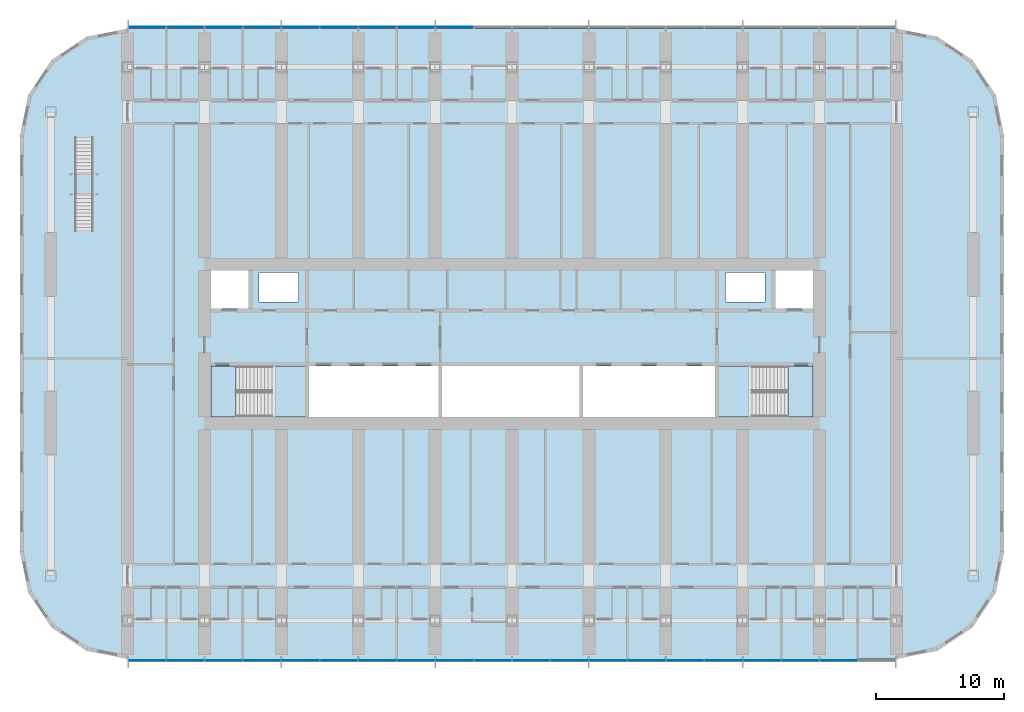
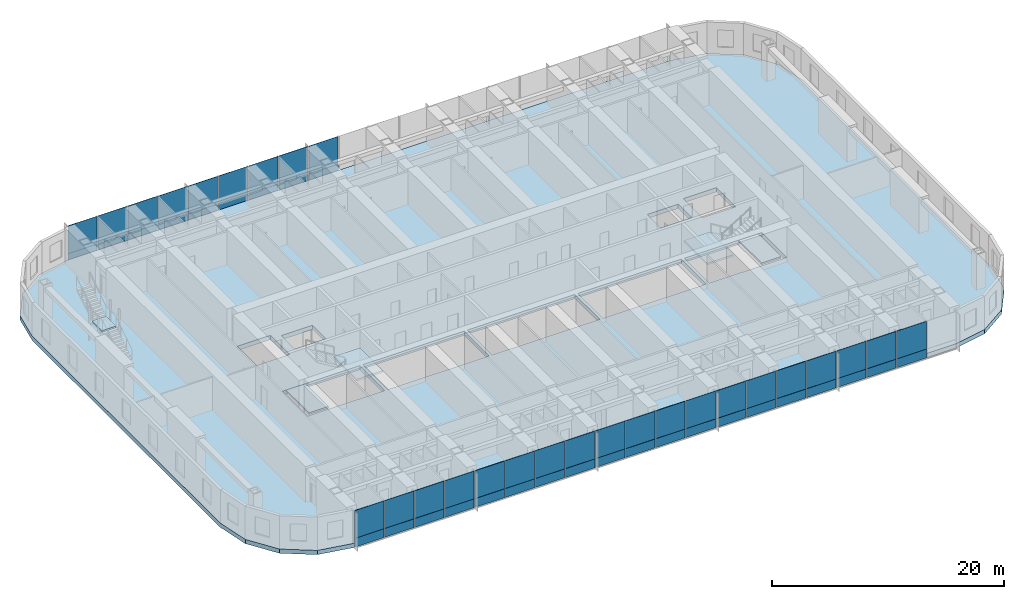
# One storey, part 10 of 28: 56 plates, 6 slabs, 5 elements without a shape of their own.
"""IFC4 building model written with IfcOpenShell, lengths in metres."""

from ifc_helpers import new_model, si_unit, direction, frame, origin, origin_2d, place, context, subcontext, project, spatial, polyline, rectangle, outline, extrude, material, layer, layer_set, type_object, element, aggregate, save


model = new_model("IFC4")

# Units and contexts
model_context = context("Model", 3, precision=1e-05, world=origin(), true_north=direction((0.0, 1.0)))
body_context = subcontext(model_context, "Body", "Model", "MODEL_VIEW")
ifc_project = project(units=[si_unit("LENGTHUNIT", "METRE"), si_unit("AREAUNIT", "SQUARE_METRE"), si_unit("VOLUMEUNIT", "CUBIC_METRE"), si_unit("PLANEANGLEUNIT", "RADIAN"), si_unit("MASSUNIT", "GRAM", prefix="KILO")], contexts=[model_context])

# Site, building, storey
site_placement = place(None, origin())
site = spatial("IfcSite", under=ifc_project, at=site_placement, CompositionType="ELEMENT")
building_placement = place(site_placement, origin())
building = spatial("IfcBuilding", under=site, at=building_placement, Name="Orbita Commons", CompositionType="ELEMENT")
storey_placement = place(building_placement, frame((0.0, 0.0, 23.949951171875)))
storey = spatial("IfcBuildingStorey", under=building, at=storey_placement, Name="L05", CompositionType="ELEMENT", Elevation=23.949951171875)

# Stair, slab
ifc_material_1 = material(Name="Steel ASTM A992 stringers, precast concrete C40/50 terrazzo treads", Category="concrete")
stair_type_1 = type_object("IfcStairType", Name="Feature stair 22 risers 170 x 280 x 1400", PredefinedType="STRAIGHT_RUN_STAIR", material=ifc_material_1)
stair_1_placement = place(storey_placement, origin())
stair_1 = element("IfcStair", 1, at=stair_1_placement, inside=storey, type_object=stair_type_1, Name="Neighbourhood stair L05 to L06", PredefinedType="STRAIGHT_RUN_STAIR")
ifc_material_2 = material(Name="Concrete C40/50", Category="concrete")
ifc_layer_1 = layer(ifc_material_2, 0.199951171875)
ifc_layer_set_1 = layer_set([ifc_layer_1], Name="Concrete C40/50")
slab_type_1 = type_object("IfcSlabType", Name="Feature stair landing 200", PredefinedType="LANDING", material=ifc_layer_set_1)
slab_1_placement = place(storey_placement, frame((0.0, 0.0, 1.675048828125)))
slab_1 = element("IfcSlab", 2, at=slab_1_placement, type_object=slab_type_1, Name="FS landing 1", PredefinedType="LANDING", context=body_context, shape_type="SweptSolid", body=[
    extrude(outline(polyline([(7.89990234375, 43.60009765625), (9.300048828125, 43.60009765625), (9.300048828125, 45.31005859375), (7.89990234375, 45.31005859375), (7.89990234375, 43.60009765625)])), origin(), (0.0, 0.0, 1.0), 0.199951171875),
])
aggregate(stair_1, [slab_1])

# Slab
ifc_material_3 = material(Name="Concrete C40/50", Category="concrete")
ifc_layer_2 = layer(ifc_material_3, 0.449951171875)
ifc_layer_set_2 = layer_set([ifc_layer_2], Name="Concrete C40/50")
slab_type_2 = type_object("IfcSlabType", Name="Floor slab 450", PredefinedType="FLOOR", material=ifc_layer_set_2)
slab_2_placement = place(storey_placement, frame((0.0, 0.0, -0.449951171875)))
element("IfcSlab", 3, at=slab_2_placement, inside=storey, type_object=slab_type_2, Name="Floor slab L05", PredefinedType="FLOOR", context=body_context, shape_type="SweptSolid", body=[
    extrude(outline(polyline([(72.0, 7.39990234375), (75.214599609375, 8.039306640625), (77.939697265625, 9.8603515625), (79.760498046875, 12.58544921875), (80.39990234375, 15.800048828125), (80.39990234375, 48.199951171875), (79.760498046875, 51.41455078125), (77.939697265625, 54.1396484375), (75.214599609375, 55.960693359375), (72.0, 56.60009765625), (12.0, 56.60009765625), (8.785400390625, 55.960693359375), (6.060302734375, 54.1396484375), (4.239501953125, 51.41455078125), (3.60009765625, 48.199951171875), (3.60009765625, 15.800048828125), (4.239501953125, 12.58544921875), (6.060302734375, 9.8603515625), (8.785400390625, 8.039306640625), (12.0, 7.39990234375), (72.0, 7.39990234375)]), holes=[polyline([(18.14990234375, 25.949951171875), (25.85009765625, 25.949951171875), (25.85009765625, 30.25), (18.14990234375, 30.25), (18.14990234375, 25.949951171875)]), polyline([(58.14990234375, 25.949951171875), (65.85009765625, 25.949951171875), (65.85009765625, 30.25), (58.14990234375, 30.25), (58.14990234375, 25.949951171875)]), polyline([(18.14990234375, 34.75), (21.449951171875, 34.75), (21.449951171875, 38.050048828125), (18.14990234375, 38.050048828125), (18.14990234375, 34.75)]), polyline([(62.550048828125, 34.75), (65.85009765625, 34.75), (65.85009765625, 38.050048828125), (62.550048828125, 38.050048828125), (62.550048828125, 34.75)]), polyline([(22.25, 35.25), (25.35009765625, 35.25), (25.35009765625, 37.550048828125), (22.25, 37.550048828125), (22.25, 35.25)]), polyline([(58.64990234375, 35.25), (61.75, 35.25), (61.75, 37.550048828125), (58.64990234375, 37.550048828125), (58.64990234375, 35.25)]), polyline([(26.14990234375, 25.949951171875), (36.25, 25.949951171875), (36.25, 30.25), (26.14990234375, 30.25), (26.14990234375, 25.949951171875)]), polyline([(36.550048828125, 25.949951171875), (47.25, 25.949951171875), (47.25, 30.25), (36.550048828125, 30.25), (36.550048828125, 25.949951171875)]), polyline([(47.550048828125, 25.949951171875), (57.85009765625, 25.949951171875), (57.85009765625, 30.25), (47.550048828125, 30.25), (47.550048828125, 25.949951171875)])]), origin(), (0.0, 0.0, 1.0), 0.449951171875),
])

# Curtain wall, plates
ifc_material_4 = material(Name="Anodised aluminium frame, pale silver", Category="aluminium")
curtain_wall_type = type_object("IfcCurtainWallType", Name="Unitised curtain wall CW-T, vision and spandrel", PredefinedType="NOTDEFINED", material=ifc_material_4)
curtain_wall_1_placement = place(storey_placement, origin())
curtain_wall_1 = element("IfcCurtainWall", 4, at=curtain_wall_1_placement, inside=storey, type_object=curtain_wall_type, Name="Curtain wall south L05", PredefinedType="NOTDEFINED")
ifc_material_5 = material(Name="Anodised aluminium sheet on mineral wool", Category="aluminium")
ifc_layer_3 = layer(ifc_material_5, 0.050048828125)
ifc_layer_set_3 = layer_set([ifc_layer_3], Name="Anodised aluminium sheet on mineral wool")
plate_type_1 = type_object("IfcPlateType", Name="Spandrel panel, pale aluminium over insulation 50", PredefinedType="CURTAIN_PANEL", material=ifc_layer_set_3)
plate_1_placement = place(storey_placement, frame((13.52001953125, 7.2900390625, -0.35009765625), z_axis=(0.0, 0.0, 1.0), x_axis=(1.0, 0.0, 0.0)))
plate_1 = element("IfcPlate", 5, at=plate_1_placement, type_object=plate_type_1, Name="Panel 1.1 CW-L05-S", PredefinedType="CURTAIN_PANEL", context=body_context, shape_type="SweptSolid", body=[
    extrude(rectangle(XDim=2.8798828125, YDim=0.050048828125, at=origin_2d()), origin(), (0.0, 0.0, 1.0), 0.927001953125),
])
plate_2_placement = place(storey_placement, frame((16.5, 7.2900390625, -0.35009765625), z_axis=(0.0, 0.0, 1.0), x_axis=(1.0, 0.0, 0.0)))
plate_2 = element("IfcPlate", 6, at=plate_2_placement, type_object=plate_type_1, Name="Panel 2.1 CW-L05-S", PredefinedType="CURTAIN_PANEL", context=body_context, shape_type="SweptSolid", body=[
    extrude(rectangle(XDim=2.919921875, YDim=0.050048828125, at=origin_2d()), origin(), (0.0, 0.0, 1.0), 0.927001953125),
])
plate_3_placement = place(storey_placement, frame((19.5, 7.2900390625, -0.35009765625), z_axis=(0.0, 0.0, 1.0), x_axis=(1.0, 0.0, 0.0)))
plate_3 = element("IfcPlate", 7, at=plate_3_placement, type_object=plate_type_1, Name="Panel 3.1 CW-L05-S", PredefinedType="CURTAIN_PANEL", context=body_context, shape_type="SweptSolid", body=[
    extrude(rectangle(XDim=2.919921875, YDim=0.050048828125, at=origin_2d()), origin(), (0.0, 0.0, 1.0), 0.927001953125),
])
plate_4_placement = place(storey_placement, frame((22.5, 7.2900390625, -0.35009765625), z_axis=(0.0, 0.0, 1.0), x_axis=(1.0, 0.0, 0.0)))
plate_4 = element("IfcPlate", 8, at=plate_4_placement, type_object=plate_type_1, Name="Panel 4.1 CW-L05-S", PredefinedType="CURTAIN_PANEL", context=body_context, shape_type="SweptSolid", body=[
    extrude(rectangle(XDim=2.919921875, YDim=0.050048828125, at=origin_2d()), origin(), (0.0, 0.0, 1.0), 0.927001953125),
])
plate_5_placement = place(storey_placement, frame((25.5, 7.2900390625, -0.35009765625), z_axis=(0.0, 0.0, 1.0), x_axis=(1.0, 0.0, 0.0)))
plate_5 = element("IfcPlate", 9, at=plate_5_placement, type_object=plate_type_1, Name="Panel 5.1 CW-L05-S", PredefinedType="CURTAIN_PANEL", context=body_context, shape_type="SweptSolid", body=[
    extrude(rectangle(XDim=2.919921875, YDim=0.050048828125, at=origin_2d()), origin(), (0.0, 0.0, 1.0), 0.927001953125),
])
plate_6_placement = place(storey_placement, frame((28.5, 7.2900390625, -0.35009765625), z_axis=(0.0, 0.0, 1.0), x_axis=(1.0, 0.0, 0.0)))
plate_6 = element("IfcPlate", 10, at=plate_6_placement, type_object=plate_type_1, Name="Panel 6.1 CW-L05-S", PredefinedType="CURTAIN_PANEL", context=body_context, shape_type="SweptSolid", body=[
    extrude(rectangle(XDim=2.919921875, YDim=0.050048828125, at=origin_2d()), origin(), (0.0, 0.0, 1.0), 0.927001953125),
])
plate_7_placement = place(storey_placement, frame((31.5, 7.2900390625, -0.35009765625), z_axis=(0.0, 0.0, 1.0), x_axis=(1.0, 0.0, 0.0)))
plate_7 = element("IfcPlate", 11, at=plate_7_placement, type_object=plate_type_1, Name="Panel 7.1 CW-L05-S", PredefinedType="CURTAIN_PANEL", context=body_context, shape_type="SweptSolid", body=[
    extrude(rectangle(XDim=2.919921875, YDim=0.050048828125, at=origin_2d()), origin(), (0.0, 0.0, 1.0), 0.927001953125),
])
plate_8_placement = place(storey_placement, frame((34.5, 7.2900390625, -0.35009765625), z_axis=(0.0, 0.0, 1.0), x_axis=(1.0, 0.0, 0.0)))
plate_8 = element("IfcPlate", 12, at=plate_8_placement, type_object=plate_type_1, Name="Panel 8.1 CW-L05-S", PredefinedType="CURTAIN_PANEL", context=body_context, shape_type="SweptSolid", body=[
    extrude(rectangle(XDim=2.919921875, YDim=0.050048828125, at=origin_2d()), origin(), (0.0, 0.0, 1.0), 0.927001953125),
])
plate_9_placement = place(storey_placement, frame((37.5, 7.2900390625, -0.35009765625), z_axis=(0.0, 0.0, 1.0), x_axis=(1.0, 0.0, 0.0)))
plate_9 = element("IfcPlate", 13, at=plate_9_placement, type_object=plate_type_1, Name="Panel 9.1 CW-L05-S", PredefinedType="CURTAIN_PANEL", context=body_context, shape_type="SweptSolid", body=[
    extrude(rectangle(XDim=2.919921875, YDim=0.050048828125, at=origin_2d()), origin(), (0.0, 0.0, 1.0), 0.927001953125),
])
plate_10_placement = place(storey_placement, frame((40.5, 7.2900390625, -0.35009765625), z_axis=(0.0, 0.0, 1.0), x_axis=(1.0, 0.0, 0.0)))
plate_10 = element("IfcPlate", 14, at=plate_10_placement, type_object=plate_type_1, Name="Panel 10.1 CW-L05-S", PredefinedType="CURTAIN_PANEL", context=body_context, shape_type="SweptSolid", body=[
    extrude(rectangle(XDim=2.919921875, YDim=0.050048828125, at=origin_2d()), origin(), (0.0, 0.0, 1.0), 0.927001953125),
])
plate_11_placement = place(storey_placement, frame((43.5, 7.2900390625, -0.35009765625), z_axis=(0.0, 0.0, 1.0), x_axis=(1.0, 0.0, 0.0)))
plate_11 = element("IfcPlate", 15, at=plate_11_placement, type_object=plate_type_1, Name="Panel 11.1 CW-L05-S", PredefinedType="CURTAIN_PANEL", context=body_context, shape_type="SweptSolid", body=[
    extrude(rectangle(XDim=2.919921875, YDim=0.050048828125, at=origin_2d()), origin(), (0.0, 0.0, 1.0), 0.927001953125),
])
plate_12_placement = place(storey_placement, frame((46.5, 7.2900390625, -0.35009765625), z_axis=(0.0, 0.0, 1.0), x_axis=(1.0, 0.0, 0.0)))
plate_12 = element("IfcPlate", 16, at=plate_12_placement, type_object=plate_type_1, Name="Panel 12.1 CW-L05-S", PredefinedType="CURTAIN_PANEL", context=body_context, shape_type="SweptSolid", body=[
    extrude(rectangle(XDim=2.919921875, YDim=0.050048828125, at=origin_2d()), origin(), (0.0, 0.0, 1.0), 0.927001953125),
])
plate_13_placement = place(storey_placement, frame((49.5, 7.2900390625, -0.35009765625), z_axis=(0.0, 0.0, 1.0), x_axis=(1.0, 0.0, 0.0)))
plate_13 = element("IfcPlate", 17, at=plate_13_placement, type_object=plate_type_1, Name="Panel 13.1 CW-L05-S", PredefinedType="CURTAIN_PANEL", context=body_context, shape_type="SweptSolid", body=[
    extrude(rectangle(XDim=2.919921875, YDim=0.050048828125, at=origin_2d()), origin(), (0.0, 0.0, 1.0), 0.927001953125),
])
plate_14_placement = place(storey_placement, frame((52.5, 7.2900390625, -0.35009765625), z_axis=(0.0, 0.0, 1.0), x_axis=(1.0, 0.0, 0.0)))
plate_14 = element("IfcPlate", 18, at=plate_14_placement, type_object=plate_type_1, Name="Panel 14.1 CW-L05-S", PredefinedType="CURTAIN_PANEL", context=body_context, shape_type="SweptSolid", body=[
    extrude(rectangle(XDim=2.919921875, YDim=0.050048828125, at=origin_2d()), origin(), (0.0, 0.0, 1.0), 0.927001953125),
])
plate_15_placement = place(storey_placement, frame((55.5, 7.2900390625, -0.35009765625), z_axis=(0.0, 0.0, 1.0), x_axis=(1.0, 0.0, 0.0)))
plate_15 = element("IfcPlate", 19, at=plate_15_placement, type_object=plate_type_1, Name="Panel 15.1 CW-L05-S", PredefinedType="CURTAIN_PANEL", context=body_context, shape_type="SweptSolid", body=[
    extrude(rectangle(XDim=2.919921875, YDim=0.050048828125, at=origin_2d()), origin(), (0.0, 0.0, 1.0), 0.927001953125),
])
plate_16_placement = place(storey_placement, frame((58.5, 7.2900390625, -0.35009765625), z_axis=(0.0, 0.0, 1.0), x_axis=(1.0, 0.0, 0.0)))
plate_16 = element("IfcPlate", 20, at=plate_16_placement, type_object=plate_type_1, Name="Panel 16.1 CW-L05-S", PredefinedType="CURTAIN_PANEL", context=body_context, shape_type="SweptSolid", body=[
    extrude(rectangle(XDim=2.919921875, YDim=0.050048828125, at=origin_2d()), origin(), (0.0, 0.0, 1.0), 0.927001953125),
])
plate_17_placement = place(storey_placement, frame((61.5, 7.2900390625, -0.35009765625), z_axis=(0.0, 0.0, 1.0), x_axis=(1.0, 0.0, 0.0)))
plate_17 = element("IfcPlate", 21, at=plate_17_placement, type_object=plate_type_1, Name="Panel 17.1 CW-L05-S", PredefinedType="CURTAIN_PANEL", context=body_context, shape_type="SweptSolid", body=[
    extrude(rectangle(XDim=2.919921875, YDim=0.050048828125, at=origin_2d()), origin(), (0.0, 0.0, 1.0), 0.927001953125),
])
plate_18_placement = place(storey_placement, frame((64.5, 7.2900390625, -0.35009765625), z_axis=(0.0, 0.0, 1.0), x_axis=(1.0, 0.0, 0.0)))
plate_18 = element("IfcPlate", 22, at=plate_18_placement, type_object=plate_type_1, Name="Panel 18.1 CW-L05-S", PredefinedType="CURTAIN_PANEL", context=body_context, shape_type="SweptSolid", body=[
    extrude(rectangle(XDim=2.919921875, YDim=0.050048828125, at=origin_2d()), origin(), (0.0, 0.0, 1.0), 0.927001953125),
])
plate_19_placement = place(storey_placement, frame((67.5, 7.2900390625, -0.35009765625), z_axis=(0.0, 0.0, 1.0), x_axis=(1.0, 0.0, 0.0)))
plate_19 = element("IfcPlate", 23, at=plate_19_placement, type_object=plate_type_1, Name="Panel 19.1 CW-L05-S", PredefinedType="CURTAIN_PANEL", context=body_context, shape_type="SweptSolid", body=[
    extrude(rectangle(XDim=2.919921875, YDim=0.050048828125, at=origin_2d()), origin(), (0.0, 0.0, 1.0), 0.927001953125),
])

curtain_wall_2_placement = place(storey_placement, origin())
curtain_wall_2 = element("IfcCurtainWall", 24, at=curtain_wall_2_placement, inside=storey, type_object=curtain_wall_type, Name="Curtain wall north L05", PredefinedType="NOTDEFINED")
plate_20_placement = place(storey_placement, frame((37.5, 56.7099609375, -0.35009765625), z_axis=(0.0, 0.0, 1.0), x_axis=(-1.0, 0.0, 0.0)))
plate_20 = element("IfcPlate", 25, at=plate_20_placement, type_object=plate_type_1, Name="Panel 12.1 CW-L05-N", PredefinedType="CURTAIN_PANEL", context=body_context, shape_type="SweptSolid", body=[
    extrude(rectangle(XDim=2.919921875, YDim=0.050048828125, at=origin_2d()), origin(), (0.0, 0.0, 1.0), 0.927001953125),
])
plate_21_placement = place(storey_placement, frame((34.5, 56.7099609375, -0.35009765625), z_axis=(0.0, 0.0, 1.0), x_axis=(-1.0, 0.0, 0.0)))
plate_21 = element("IfcPlate", 26, at=plate_21_placement, type_object=plate_type_1, Name="Panel 13.1 CW-L05-N", PredefinedType="CURTAIN_PANEL", context=body_context, shape_type="SweptSolid", body=[
    extrude(rectangle(XDim=2.919921875, YDim=0.050048828125, at=origin_2d()), origin(), (0.0, 0.0, 1.0), 0.927001953125),
])
plate_22_placement = place(storey_placement, frame((31.5, 56.7099609375, -0.35009765625), z_axis=(0.0, 0.0, 1.0), x_axis=(-1.0, 0.0, 0.0)))
plate_22 = element("IfcPlate", 27, at=plate_22_placement, type_object=plate_type_1, Name="Panel 14.1 CW-L05-N", PredefinedType="CURTAIN_PANEL", context=body_context, shape_type="SweptSolid", body=[
    extrude(rectangle(XDim=2.919921875, YDim=0.050048828125, at=origin_2d()), origin(), (0.0, 0.0, 1.0), 0.927001953125),
])
plate_23_placement = place(storey_placement, frame((28.5, 56.7099609375, -0.35009765625), z_axis=(0.0, 0.0, 1.0), x_axis=(-1.0, 0.0, 0.0)))
plate_23 = element("IfcPlate", 28, at=plate_23_placement, type_object=plate_type_1, Name="Panel 15.1 CW-L05-N", PredefinedType="CURTAIN_PANEL", context=body_context, shape_type="SweptSolid", body=[
    extrude(rectangle(XDim=2.919921875, YDim=0.050048828125, at=origin_2d()), origin(), (0.0, 0.0, 1.0), 0.927001953125),
])
plate_24_placement = place(storey_placement, frame((25.5, 56.7099609375, -0.35009765625), z_axis=(0.0, 0.0, 1.0), x_axis=(-1.0, 0.0, 0.0)))
plate_24 = element("IfcPlate", 29, at=plate_24_placement, type_object=plate_type_1, Name="Panel 16.1 CW-L05-N", PredefinedType="CURTAIN_PANEL", context=body_context, shape_type="SweptSolid", body=[
    extrude(rectangle(XDim=2.919921875, YDim=0.050048828125, at=origin_2d()), origin(), (0.0, 0.0, 1.0), 0.927001953125),
])
plate_25_placement = place(storey_placement, frame((22.5, 56.7099609375, -0.35009765625), z_axis=(0.0, 0.0, 1.0), x_axis=(-1.0, 0.0, 0.0)))
plate_25 = element("IfcPlate", 30, at=plate_25_placement, type_object=plate_type_1, Name="Panel 17.1 CW-L05-N", PredefinedType="CURTAIN_PANEL", context=body_context, shape_type="SweptSolid", body=[
    extrude(rectangle(XDim=2.919921875, YDim=0.050048828125, at=origin_2d()), origin(), (0.0, 0.0, 1.0), 0.927001953125),
])
plate_26_placement = place(storey_placement, frame((19.5, 56.7099609375, -0.35009765625), z_axis=(0.0, 0.0, 1.0), x_axis=(-1.0, 0.0, 0.0)))
plate_26 = element("IfcPlate", 31, at=plate_26_placement, type_object=plate_type_1, Name="Panel 18.1 CW-L05-N", PredefinedType="CURTAIN_PANEL", context=body_context, shape_type="SweptSolid", body=[
    extrude(rectangle(XDim=2.919921875, YDim=0.050048828125, at=origin_2d()), origin(), (0.0, 0.0, 1.0), 0.927001953125),
])
plate_27_placement = place(storey_placement, frame((16.5, 56.7099609375, -0.35009765625), z_axis=(0.0, 0.0, 1.0), x_axis=(-1.0, 0.0, 0.0)))
plate_27 = element("IfcPlate", 32, at=plate_27_placement, type_object=plate_type_1, Name="Panel 19.1 CW-L05-N", PredefinedType="CURTAIN_PANEL", context=body_context, shape_type="SweptSolid", body=[
    extrude(rectangle(XDim=2.919921875, YDim=0.050048828125, at=origin_2d()), origin(), (0.0, 0.0, 1.0), 0.927001953125),
])
plate_28_placement = place(storey_placement, frame((13.52001953125, 56.7099609375, -0.35009765625), z_axis=(0.0, 0.0, 1.0), x_axis=(-1.0, 0.0, 0.0)))
plate_28 = element("IfcPlate", 33, at=plate_28_placement, type_object=plate_type_1, Name="Panel 20.1 CW-L05-N", PredefinedType="CURTAIN_PANEL", context=body_context, shape_type="SweptSolid", body=[
    extrude(rectangle(XDim=2.8798828125, YDim=0.050048828125, at=origin_2d()), origin(), (0.0, 0.0, 1.0), 0.927001953125),
])

# Stair, slabs
ifc_material_6 = material(Name="Precast concrete C40/50", Category="concrete")
stair_type_2 = type_object("IfcStairType", Name="Exit stair S1 2 flights 11 risers 170", PredefinedType="HALF_TURN_STAIR", material=ifc_material_6)
stair_2_placement = place(storey_placement, origin())
stair_2 = element("IfcStair", 34, at=stair_2_placement, inside=storey, type_object=stair_type_2, Name="Exit stair S1 L05", PredefinedType="HALF_TURN_STAIR")
ifc_material_7 = material(Name="Concrete C40/50", Category="concrete")
ifc_layer_4 = layer(ifc_material_7, 0.199951171875)
ifc_layer_set_4 = layer_set([ifc_layer_4], Name="Concrete C40/50")
slab_type_3 = type_object("IfcSlabType", Name="Stair landing 200", PredefinedType="LANDING", material=ifc_layer_set_4)
slab_3_placement = place(storey_placement, frame((0.0, 0.0, -0.199951171875)))
slab_3 = element("IfcSlab", 35, at=slab_3_placement, type_object=slab_type_3, Name="S1 landing 1", PredefinedType="LANDING", context=body_context, shape_type="SweptSolid", body=[
    extrude(outline(polyline([(18.5, 26.300048828125), (20.449951171875, 26.300048828125), (20.449951171875, 30.25), (18.5, 30.25), (18.5, 26.300048828125)])), origin(), (0.0, 0.0, 1.0), 0.199951171875),
])
slab_4_placement = place(storey_placement, frame((0.0, 0.0, 1.675048828125)))
slab_4 = element("IfcSlab", 36, at=slab_4_placement, type_object=slab_type_3, Name="S1 landing 2", PredefinedType="LANDING", context=body_context, shape_type="SweptSolid", body=[
    extrude(outline(polyline([(23.25, 26.284912109375), (25.864990234375, 26.284912109375), (25.864990234375, 30.264892578125), (23.25, 30.264892578125), (23.25, 26.284912109375)])), origin(), (0.0, 0.0, 1.0), 0.199951171875),
])
aggregate(stair_2, [slab_3, slab_4])

ifc_material_8 = material(Name="Precast concrete C40/50", Category="concrete")
stair_type_3 = type_object("IfcStairType", Name="Exit stair S2 2 flights 11 risers 170", PredefinedType="HALF_TURN_STAIR", material=ifc_material_8)
stair_3_placement = place(storey_placement, origin())
stair_3 = element("IfcStair", 37, at=stair_3_placement, inside=storey, type_object=stair_type_3, Name="Exit stair S2 L05", PredefinedType="HALF_TURN_STAIR")
slab_5_placement = place(storey_placement, frame((0.0, 0.0, -0.199951171875)))
slab_5 = element("IfcSlab", 38, at=slab_5_placement, type_object=slab_type_3, Name="S2 landing 1", PredefinedType="LANDING", context=body_context, shape_type="SweptSolid", body=[
    extrude(outline(polyline([(63.550048828125, 26.300048828125), (65.5, 26.300048828125), (65.5, 30.25), (63.550048828125, 30.25), (63.550048828125, 26.300048828125)])), origin(), (0.0, 0.0, 1.0), 0.199951171875),
])
slab_6_placement = place(storey_placement, frame((0.0, 0.0, 1.675048828125)))
slab_6 = element("IfcSlab", 39, at=slab_6_placement, type_object=slab_type_3, Name="S2 landing 2", PredefinedType="LANDING", context=body_context, shape_type="SweptSolid", body=[
    extrude(outline(polyline([(58.135009765625, 26.284912109375), (60.75, 26.284912109375), (60.75, 30.264892578125), (58.135009765625, 30.264892578125), (58.135009765625, 26.284912109375)])), origin(), (0.0, 0.0, 1.0), 0.199951171875),
])
aggregate(stair_3, [slab_5, slab_6])

# Plate
ifc_material_9 = material(Name="Clear double glazing", Category="glass")
ifc_layer_5 = layer(ifc_material_9, 0.031982421875)
ifc_layer_set_5 = layer_set([ifc_layer_5], Name="Clear double glazing")
plate_type_2 = type_object("IfcPlateType", Name="Vision panel, clear double glazing 32", PredefinedType="CURTAIN_PANEL", material=ifc_layer_set_5)
plate_29_placement = place(storey_placement, frame((13.52001953125, 7.2900390625, 0.5771484375), z_axis=(0.0, 0.0, 1.0), x_axis=(1.0, 0.0, 0.0)))
plate_29 = element("IfcPlate", 40, at=plate_29_placement, type_object=plate_type_2, Name="Panel 1.2 CW-L05-S", PredefinedType="CURTAIN_PANEL", context=body_context, shape_type="SweptSolid", body=[
    extrude(rectangle(XDim=2.8798828125, YDim=0.031982421875, at=origin_2d()), origin(), (0.0, 0.0, 1.0), 2.923095703125),
])

plate_30_placement = place(storey_placement, frame((16.5, 7.2900390625, 0.5771484375), z_axis=(0.0, 0.0, 1.0), x_axis=(1.0, 0.0, 0.0)))
plate_30 = element("IfcPlate", 41, at=plate_30_placement, type_object=plate_type_2, Name="Panel 2.2 CW-L05-S", PredefinedType="CURTAIN_PANEL", context=body_context, shape_type="SweptSolid", body=[
    extrude(rectangle(XDim=2.919921875, YDim=0.031982421875, at=origin_2d()), origin(), (0.0, 0.0, 1.0), 2.923095703125),
])

plate_31_placement = place(storey_placement, frame((19.5, 7.2900390625, 0.5771484375), z_axis=(0.0, 0.0, 1.0), x_axis=(1.0, 0.0, 0.0)))
plate_31 = element("IfcPlate", 42, at=plate_31_placement, type_object=plate_type_2, Name="Panel 3.2 CW-L05-S", PredefinedType="CURTAIN_PANEL", context=body_context, shape_type="SweptSolid", body=[
    extrude(rectangle(XDim=2.919921875, YDim=0.031982421875, at=origin_2d()), origin(), (0.0, 0.0, 1.0), 2.923095703125),
])

plate_32_placement = place(storey_placement, frame((22.5, 7.2900390625, 0.5771484375), z_axis=(0.0, 0.0, 1.0), x_axis=(1.0, 0.0, 0.0)))
plate_32 = element("IfcPlate", 43, at=plate_32_placement, type_object=plate_type_2, Name="Panel 4.2 CW-L05-S", PredefinedType="CURTAIN_PANEL", context=body_context, shape_type="SweptSolid", body=[
    extrude(rectangle(XDim=2.919921875, YDim=0.031982421875, at=origin_2d()), origin(), (0.0, 0.0, 1.0), 2.923095703125),
])

plate_33_placement = place(storey_placement, frame((25.5, 7.2900390625, 0.5771484375), z_axis=(0.0, 0.0, 1.0), x_axis=(1.0, 0.0, 0.0)))
plate_33 = element("IfcPlate", 44, at=plate_33_placement, type_object=plate_type_2, Name="Panel 5.2 CW-L05-S", PredefinedType="CURTAIN_PANEL", context=body_context, shape_type="SweptSolid", body=[
    extrude(rectangle(XDim=2.919921875, YDim=0.031982421875, at=origin_2d()), origin(), (0.0, 0.0, 1.0), 2.923095703125),
])

plate_34_placement = place(storey_placement, frame((28.5, 7.2900390625, 0.5771484375), z_axis=(0.0, 0.0, 1.0), x_axis=(1.0, 0.0, 0.0)))
plate_34 = element("IfcPlate", 45, at=plate_34_placement, type_object=plate_type_2, Name="Panel 6.2 CW-L05-S", PredefinedType="CURTAIN_PANEL", context=body_context, shape_type="SweptSolid", body=[
    extrude(rectangle(XDim=2.919921875, YDim=0.031982421875, at=origin_2d()), origin(), (0.0, 0.0, 1.0), 2.923095703125),
])

plate_35_placement = place(storey_placement, frame((31.5, 7.2900390625, 0.5771484375), z_axis=(0.0, 0.0, 1.0), x_axis=(1.0, 0.0, 0.0)))
plate_35 = element("IfcPlate", 46, at=plate_35_placement, type_object=plate_type_2, Name="Panel 7.2 CW-L05-S", PredefinedType="CURTAIN_PANEL", context=body_context, shape_type="SweptSolid", body=[
    extrude(rectangle(XDim=2.919921875, YDim=0.031982421875, at=origin_2d()), origin(), (0.0, 0.0, 1.0), 2.923095703125),
])

plate_36_placement = place(storey_placement, frame((34.5, 7.2900390625, 0.5771484375), z_axis=(0.0, 0.0, 1.0), x_axis=(1.0, 0.0, 0.0)))
plate_36 = element("IfcPlate", 47, at=plate_36_placement, type_object=plate_type_2, Name="Panel 8.2 CW-L05-S", PredefinedType="CURTAIN_PANEL", context=body_context, shape_type="SweptSolid", body=[
    extrude(rectangle(XDim=2.919921875, YDim=0.031982421875, at=origin_2d()), origin(), (0.0, 0.0, 1.0), 2.923095703125),
])

plate_37_placement = place(storey_placement, frame((37.5, 7.2900390625, 0.5771484375), z_axis=(0.0, 0.0, 1.0), x_axis=(1.0, 0.0, 0.0)))
plate_37 = element("IfcPlate", 48, at=plate_37_placement, type_object=plate_type_2, Name="Panel 9.2 CW-L05-S", PredefinedType="CURTAIN_PANEL", context=body_context, shape_type="SweptSolid", body=[
    extrude(rectangle(XDim=2.919921875, YDim=0.031982421875, at=origin_2d()), origin(), (0.0, 0.0, 1.0), 2.923095703125),
])

plate_38_placement = place(storey_placement, frame((40.5, 7.2900390625, 0.5771484375), z_axis=(0.0, 0.0, 1.0), x_axis=(1.0, 0.0, 0.0)))
plate_38 = element("IfcPlate", 49, at=plate_38_placement, type_object=plate_type_2, Name="Panel 10.2 CW-L05-S", PredefinedType="CURTAIN_PANEL", context=body_context, shape_type="SweptSolid", body=[
    extrude(rectangle(XDim=2.919921875, YDim=0.031982421875, at=origin_2d()), origin(), (0.0, 0.0, 1.0), 2.923095703125),
])

plate_39_placement = place(storey_placement, frame((43.5, 7.2900390625, 0.5771484375), z_axis=(0.0, 0.0, 1.0), x_axis=(1.0, 0.0, 0.0)))
plate_39 = element("IfcPlate", 50, at=plate_39_placement, type_object=plate_type_2, Name="Panel 11.2 CW-L05-S", PredefinedType="CURTAIN_PANEL", context=body_context, shape_type="SweptSolid", body=[
    extrude(rectangle(XDim=2.919921875, YDim=0.031982421875, at=origin_2d()), origin(), (0.0, 0.0, 1.0), 2.923095703125),
])

plate_40_placement = place(storey_placement, frame((46.5, 7.2900390625, 0.5771484375), z_axis=(0.0, 0.0, 1.0), x_axis=(1.0, 0.0, 0.0)))
plate_40 = element("IfcPlate", 51, at=plate_40_placement, type_object=plate_type_2, Name="Panel 12.2 CW-L05-S", PredefinedType="CURTAIN_PANEL", context=body_context, shape_type="SweptSolid", body=[
    extrude(rectangle(XDim=2.919921875, YDim=0.031982421875, at=origin_2d()), origin(), (0.0, 0.0, 1.0), 2.923095703125),
])

plate_41_placement = place(storey_placement, frame((49.5, 7.2900390625, 0.5771484375), z_axis=(0.0, 0.0, 1.0), x_axis=(1.0, 0.0, 0.0)))
plate_41 = element("IfcPlate", 52, at=plate_41_placement, type_object=plate_type_2, Name="Panel 13.2 CW-L05-S", PredefinedType="CURTAIN_PANEL", context=body_context, shape_type="SweptSolid", body=[
    extrude(rectangle(XDim=2.919921875, YDim=0.031982421875, at=origin_2d()), origin(), (0.0, 0.0, 1.0), 2.923095703125),
])

plate_42_placement = place(storey_placement, frame((52.5, 7.2900390625, 0.5771484375), z_axis=(0.0, 0.0, 1.0), x_axis=(1.0, 0.0, 0.0)))
plate_42 = element("IfcPlate", 53, at=plate_42_placement, type_object=plate_type_2, Name="Panel 14.2 CW-L05-S", PredefinedType="CURTAIN_PANEL", context=body_context, shape_type="SweptSolid", body=[
    extrude(rectangle(XDim=2.919921875, YDim=0.031982421875, at=origin_2d()), origin(), (0.0, 0.0, 1.0), 2.923095703125),
])

plate_43_placement = place(storey_placement, frame((55.5, 7.2900390625, 0.5771484375), z_axis=(0.0, 0.0, 1.0), x_axis=(1.0, 0.0, 0.0)))
plate_43 = element("IfcPlate", 54, at=plate_43_placement, type_object=plate_type_2, Name="Panel 15.2 CW-L05-S", PredefinedType="CURTAIN_PANEL", context=body_context, shape_type="SweptSolid", body=[
    extrude(rectangle(XDim=2.919921875, YDim=0.031982421875, at=origin_2d()), origin(), (0.0, 0.0, 1.0), 2.923095703125),
])

plate_44_placement = place(storey_placement, frame((58.5, 7.2900390625, 0.5771484375), z_axis=(0.0, 0.0, 1.0), x_axis=(1.0, 0.0, 0.0)))
plate_44 = element("IfcPlate", 55, at=plate_44_placement, type_object=plate_type_2, Name="Panel 16.2 CW-L05-S", PredefinedType="CURTAIN_PANEL", context=body_context, shape_type="SweptSolid", body=[
    extrude(rectangle(XDim=2.919921875, YDim=0.031982421875, at=origin_2d()), origin(), (0.0, 0.0, 1.0), 2.923095703125),
])

plate_45_placement = place(storey_placement, frame((61.5, 7.2900390625, 0.5771484375), z_axis=(0.0, 0.0, 1.0), x_axis=(1.0, 0.0, 0.0)))
plate_45 = element("IfcPlate", 56, at=plate_45_placement, type_object=plate_type_2, Name="Panel 17.2 CW-L05-S", PredefinedType="CURTAIN_PANEL", context=body_context, shape_type="SweptSolid", body=[
    extrude(rectangle(XDim=2.919921875, YDim=0.031982421875, at=origin_2d()), origin(), (0.0, 0.0, 1.0), 2.923095703125),
])

plate_46_placement = place(storey_placement, frame((64.5, 7.2900390625, 0.5771484375), z_axis=(0.0, 0.0, 1.0), x_axis=(1.0, 0.0, 0.0)))
plate_46 = element("IfcPlate", 57, at=plate_46_placement, type_object=plate_type_2, Name="Panel 18.2 CW-L05-S", PredefinedType="CURTAIN_PANEL", context=body_context, shape_type="SweptSolid", body=[
    extrude(rectangle(XDim=2.919921875, YDim=0.031982421875, at=origin_2d()), origin(), (0.0, 0.0, 1.0), 2.923095703125),
])

plate_47_placement = place(storey_placement, frame((67.5, 7.2900390625, 0.5771484375), z_axis=(0.0, 0.0, 1.0), x_axis=(1.0, 0.0, 0.0)))
plate_47 = element("IfcPlate", 58, at=plate_47_placement, type_object=plate_type_2, Name="Panel 19.2 CW-L05-S", PredefinedType="CURTAIN_PANEL", context=body_context, shape_type="SweptSolid", body=[
    extrude(rectangle(XDim=2.919921875, YDim=0.031982421875, at=origin_2d()), origin(), (0.0, 0.0, 1.0), 2.923095703125),
])

aggregate(curtain_wall_1, [plate_1, plate_29, plate_2, plate_30, plate_3, plate_31, plate_4, plate_32, plate_5, plate_33, plate_6, plate_34, plate_7, plate_35, plate_8, plate_36, plate_9, plate_37, plate_10, plate_38, plate_11, plate_39, plate_12, plate_40, plate_13, plate_41, plate_14, plate_42, plate_15, plate_43, plate_16, plate_44, plate_17, plate_45, plate_18, plate_46, plate_19, plate_47])

plate_48_placement = place(storey_placement, frame((37.5, 56.7099609375, 0.5771484375), z_axis=(0.0, 0.0, 1.0), x_axis=(-1.0, 0.0, 0.0)))
plate_48 = element("IfcPlate", 59, at=plate_48_placement, type_object=plate_type_2, Name="Panel 12.2 CW-L05-N", PredefinedType="CURTAIN_PANEL", context=body_context, shape_type="SweptSolid", body=[
    extrude(rectangle(XDim=2.919921875, YDim=0.031982421875, at=origin_2d()), origin(), (0.0, 0.0, 1.0), 2.923095703125),
])

plate_49_placement = place(storey_placement, frame((34.5, 56.7099609375, 0.5771484375), z_axis=(0.0, 0.0, 1.0), x_axis=(-1.0, 0.0, 0.0)))
plate_49 = element("IfcPlate", 60, at=plate_49_placement, type_object=plate_type_2, Name="Panel 13.2 CW-L05-N", PredefinedType="CURTAIN_PANEL", context=body_context, shape_type="SweptSolid", body=[
    extrude(rectangle(XDim=2.919921875, YDim=0.031982421875, at=origin_2d()), origin(), (0.0, 0.0, 1.0), 2.923095703125),
])

plate_50_placement = place(storey_placement, frame((31.5, 56.7099609375, 0.5771484375), z_axis=(0.0, 0.0, 1.0), x_axis=(-1.0, 0.0, 0.0)))
plate_50 = element("IfcPlate", 61, at=plate_50_placement, type_object=plate_type_2, Name="Panel 14.2 CW-L05-N", PredefinedType="CURTAIN_PANEL", context=body_context, shape_type="SweptSolid", body=[
    extrude(rectangle(XDim=2.919921875, YDim=0.031982421875, at=origin_2d()), origin(), (0.0, 0.0, 1.0), 2.923095703125),
])

plate_51_placement = place(storey_placement, frame((28.5, 56.7099609375, 0.5771484375), z_axis=(0.0, 0.0, 1.0), x_axis=(-1.0, 0.0, 0.0)))
plate_51 = element("IfcPlate", 62, at=plate_51_placement, type_object=plate_type_2, Name="Panel 15.2 CW-L05-N", PredefinedType="CURTAIN_PANEL", context=body_context, shape_type="SweptSolid", body=[
    extrude(rectangle(XDim=2.919921875, YDim=0.031982421875, at=origin_2d()), origin(), (0.0, 0.0, 1.0), 2.923095703125),
])

plate_52_placement = place(storey_placement, frame((25.5, 56.7099609375, 0.5771484375), z_axis=(0.0, 0.0, 1.0), x_axis=(-1.0, 0.0, 0.0)))
plate_52 = element("IfcPlate", 63, at=plate_52_placement, type_object=plate_type_2, Name="Panel 16.2 CW-L05-N", PredefinedType="CURTAIN_PANEL", context=body_context, shape_type="SweptSolid", body=[
    extrude(rectangle(XDim=2.919921875, YDim=0.031982421875, at=origin_2d()), origin(), (0.0, 0.0, 1.0), 2.923095703125),
])

plate_53_placement = place(storey_placement, frame((22.5, 56.7099609375, 0.5771484375), z_axis=(0.0, 0.0, 1.0), x_axis=(-1.0, 0.0, 0.0)))
plate_53 = element("IfcPlate", 64, at=plate_53_placement, type_object=plate_type_2, Name="Panel 17.2 CW-L05-N", PredefinedType="CURTAIN_PANEL", context=body_context, shape_type="SweptSolid", body=[
    extrude(rectangle(XDim=2.919921875, YDim=0.031982421875, at=origin_2d()), origin(), (0.0, 0.0, 1.0), 2.923095703125),
])

plate_54_placement = place(storey_placement, frame((19.5, 56.7099609375, 0.5771484375), z_axis=(0.0, 0.0, 1.0), x_axis=(-1.0, 0.0, 0.0)))
plate_54 = element("IfcPlate", 65, at=plate_54_placement, type_object=plate_type_2, Name="Panel 18.2 CW-L05-N", PredefinedType="CURTAIN_PANEL", context=body_context, shape_type="SweptSolid", body=[
    extrude(rectangle(XDim=2.919921875, YDim=0.031982421875, at=origin_2d()), origin(), (0.0, 0.0, 1.0), 2.923095703125),
])

plate_55_placement = place(storey_placement, frame((16.5, 56.7099609375, 0.5771484375), z_axis=(0.0, 0.0, 1.0), x_axis=(-1.0, 0.0, 0.0)))
plate_55 = element("IfcPlate", 66, at=plate_55_placement, type_object=plate_type_2, Name="Panel 19.2 CW-L05-N", PredefinedType="CURTAIN_PANEL", context=body_context, shape_type="SweptSolid", body=[
    extrude(rectangle(XDim=2.919921875, YDim=0.031982421875, at=origin_2d()), origin(), (0.0, 0.0, 1.0), 2.923095703125),
])

plate_56_placement = place(storey_placement, frame((13.52001953125, 56.7099609375, 0.5771484375), z_axis=(0.0, 0.0, 1.0), x_axis=(-1.0, 0.0, 0.0)))
plate_56 = element("IfcPlate", 67, at=plate_56_placement, type_object=plate_type_2, Name="Panel 20.2 CW-L05-N", PredefinedType="CURTAIN_PANEL", context=body_context, shape_type="SweptSolid", body=[
    extrude(rectangle(XDim=2.8798828125, YDim=0.031982421875, at=origin_2d()), origin(), (0.0, 0.0, 1.0), 2.923095703125),
])

aggregate(curtain_wall_2, [plate_20, plate_48, plate_21, plate_49, plate_22, plate_50, plate_23, plate_51, plate_24, plate_52, plate_25, plate_53, plate_26, plate_54, plate_27, plate_55, plate_28, plate_56])

save(model, "model.ifc")
